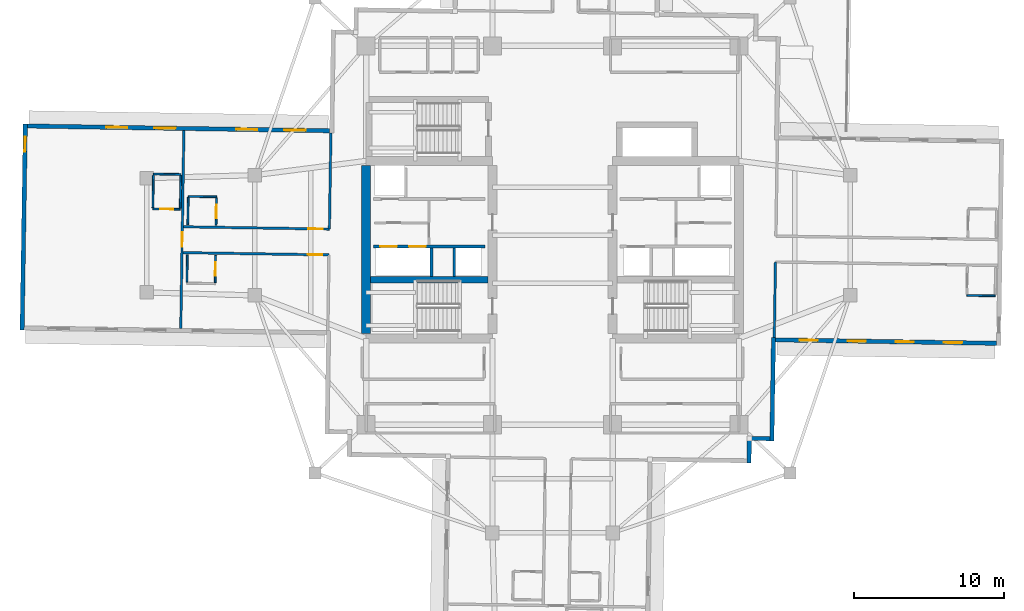
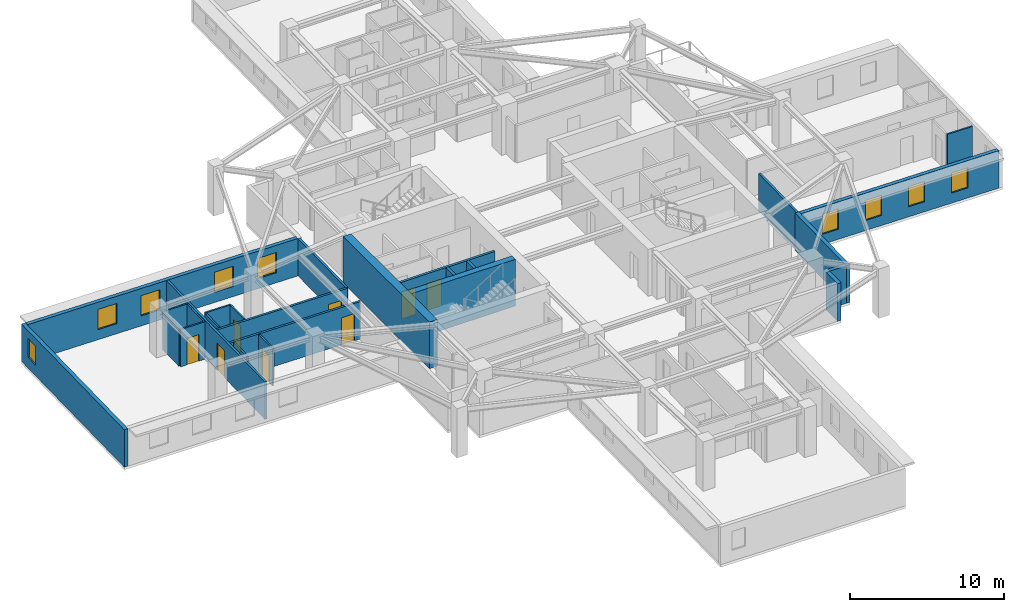
# One storey, part 4 of 13: 26 walls, 9 windows, 8 doors, 17 openings.
"""IFC4 building model written with IfcOpenShell, lengths in metres."""

from ifc_helpers import new_model, si_unit, direction, frame, frame_2d, origin, place, context, subcontext, project, spatial, rectangle, extrude, material, layer, layer_set, type_object, element, fill, save


model = new_model("IFC4")

# Units and contexts
model_context = context("Model", 3, precision=1e-05, world=origin(), true_north=direction((0.0, 1.0)))
body_context = subcontext(model_context, "Body", "Model", "MODEL_VIEW")
ifc_project = project(units=[si_unit("LENGTHUNIT", "METRE"), si_unit("AREAUNIT", "SQUARE_METRE"), si_unit("VOLUMEUNIT", "CUBIC_METRE"), si_unit("PLANEANGLEUNIT", "RADIAN"), si_unit("MASSUNIT", "GRAM", prefix="KILO")], contexts=[model_context])

# Site, building, storey
site_placement = place(None, origin())
site = spatial("IfcSite", under=ifc_project, at=site_placement, CompositionType="ELEMENT")
building_placement = place(site_placement, origin())
building = spatial("IfcBuilding", under=site, at=building_placement, Name="Qingluan Cross Belvedere", CompositionType="ELEMENT")
storey_placement = place(building_placement, frame((0.0, 0.0, 180.0)))
storey = spatial("IfcBuildingStorey", under=building, at=storey_placement, Name="L45", CompositionType="ELEMENT", Elevation=180.0)

# Walls
ifc_material_1 = material(Name="Concrete C50", Category="concrete")
ifc_layer_1 = layer(ifc_material_1, 0.449951171875, Name="CoreShearWall_450")
ifc_layer_set_1 = layer_set([ifc_layer_1], Name="Concrete C50")
wall_type_1 = type_object("IfcWallType", Name="CoreShearWall_450", PredefinedType="SHEAR", material=ifc_layer_set_1)
wall_1_placement = place(storey_placement, frame((-12.094970703125, -2.9599609375, 0.0), z_axis=(0.0, 0.0, 1.0), x_axis=(1.0, 0.0, 0.0)))
element("IfcWall", 1, at=wall_1_placement, inside=storey, type_object=wall_type_1, Name="Split core W shear wall L45-M", PredefinedType="SHEAR", context=body_context, shape_type="SweptSolid", body=[
    extrude(rectangle(XDim=7.7900390625, YDim=0.449951171875, at=frame_2d((3.89501953125, 0.0))), origin(), (0.0, 0.0, 1.0), 3.699951171875),
])
ifc_material_2 = material(Name="Concrete C60", Category="concrete")
ifc_layer_2 = layer(ifc_material_2, 0.60009765625, Name="CoreShearWall_600")
ifc_layer_set_2 = layer_set([ifc_layer_2], Name="Concrete C60")
wall_type_2 = type_object("IfcWallType", Name="CoreShearWall_600", PredefinedType="SHEAR", material=ifc_layer_set_2)
wall_2_placement = place(storey_placement, frame((-12.39990234375, -6.544921875, 0.0), z_axis=(0.0, 0.0, 1.0), x_axis=(0.0, 1.0, 0.0)))
element("IfcWall", 2, at=wall_2_placement, inside=storey, type_object=wall_type_2, Name="Split core W shear wall L45-W", PredefinedType="SHEAR", context=body_context, shape_type="SweptSolid", body=[
    extrude(rectangle(XDim=11.18994140625, YDim=0.60009765625, at=frame_2d((5.594970703125, 0.0))), origin(), (0.0, 0.0, 1.0), 3.699951171875),
])
ifc_material_3 = material(Name="Gypsum plasterboard on steel stud acoustic partition", Category="steel")
ifc_layer_3 = layer(ifc_material_3, 0.159912109375, Name="CorridorPartition_160")
ifc_layer_set_3 = layer_set([ifc_layer_3], Name="Gypsum plasterboard on steel stud acoustic partition")
wall_type_3 = type_object("IfcWallType", Name="CorridorPartition_160", PredefinedType="PARTITIONING", material=ifc_layer_set_3)
wall_3_placement = place(storey_placement, frame((14.823974609375, -1.773193359375, 0.0), z_axis=(0.0, 0.0, 1.0), x_axis=(-0.015720106939, -0.999876431484, 0.0)))
element("IfcWall", 3, at=wall_3_placement, inside=storey, type_object=wall_type_3, Name="Partition L45:E:s1", PredefinedType="PARTITIONING", context=body_context, shape_type="SweptSolid", body=[
    extrude(rectangle(XDim=5.031982421875, YDim=0.159912109375, at=frame_2d((2.51611328125, 0.0))), origin(), (0.0, 0.0, 1.0), 2.9599609375),
])

# Wall, opening, door
wall_4_placement = place(storey_placement, frame((-14.84521484375, 0.4130859375, 0.0), z_axis=(0.0, 0.0, 1.0), x_axis=(-0.999876269181, 0.015730426869, 0.0)))
wall_4 = element("IfcWall", 4, at=wall_4_placement, inside=storey, type_object=wall_type_3, Name="Partition L45:W:c0", PredefinedType="PARTITIONING", context=body_context, shape_type="SweptSolid", body=[
    extrude(rectangle(XDim=9.7001953125, YDim=0.159912109375, at=frame_2d((4.85009765625, 0.0))), origin(), (0.0, 0.0, 1.0), 2.9599609375),
])
opening_1_placement = place(wall_4_placement, frame((0.449951171875, 0.0, 0.0)))
opening_1 = element("IfcOpeningElement", 5, at=opening_1_placement, cuts=wall_4, Name="Opening GD-10", PredefinedType="OPENING", context=body_context, shape_type="SweptSolid", body=[
    extrude(rectangle(XDim=0.9599609375, YDim=2.14990234375, at=frame_2d((0.47998046875, 1.074951171875))), frame((0.0, 0.08984375, 0.0), z_axis=(0.0, -1.0, 0.0), x_axis=(1.0, 0.0, 0.0)), (0.0, 0.0, 1.0), 0.179931640625),
])
ifc_material_4 = material(Name="Timber oak fire-rated acoustic guestroom door", Category="wood")
door_type_1 = type_object("IfcDoorType", Name="GuestEntryDoor_FD60", OperationType="NOTDEFINED", PredefinedType="DOOR", material=ifc_material_4)
door_1_placement = place(opening_1_placement, origin())
door_1 = element("IfcDoor", 6, at=door_1_placement, inside=storey, type_object=door_type_1, Name="Guest entry fire door 4503", OperationType="SINGLE_SWING_RIGHT", OverallHeight=2.14990234375, OverallWidth=0.9599609375, PredefinedType="DOOR", context=body_context, shape_type="SweptSolid", body=[
    extrude(rectangle(XDim=0.9599609375, YDim=2.14990234375, at=frame_2d((0.47998046875, 1.074951171875))), frame((0.0, 0.02490234375, 0.0), z_axis=(0.0, -1.0, 0.0), x_axis=(1.0, 0.0, 0.0)), (0.0, 0.0, 1.0), 0.050048828125),
])
fill(opening_1, door_1)

# Wall
wall_5_placement = place(storey_placement, frame((-14.84521484375, 0.4130859375, 0.0), z_axis=(0.0, 0.0, 1.0), x_axis=(0.015697672111, 0.999876783954, 0.0)))
element("IfcWall", 7, at=wall_5_placement, inside=storey, type_object=wall_type_3, Name="Partition L45:W:s0", PredefinedType="PARTITIONING", context=body_context, shape_type="SweptSolid", body=[
    extrude(rectangle(XDim=6.39208984375, YDim=0.159912109375, at=frame_2d((3.196044921875, 0.0))), origin(), (0.0, 0.0, 1.0), 2.9599609375),
])

# Wall, opening, door
wall_6_placement = place(storey_placement, frame((-14.872314453125, -1.306640625, 0.0), z_axis=(0.0, 0.0, 1.0), x_axis=(-0.999876664729, 0.015705264399, 0.0)))
wall_6 = element("IfcWall", 8, at=wall_6_placement, inside=storey, type_object=wall_type_3, Name="Partition L45:W:c1", PredefinedType="PARTITIONING", context=body_context, shape_type="SweptSolid", body=[
    extrude(rectangle(XDim=9.7001953125, YDim=0.159912109375, at=frame_2d((4.85009765625, 0.0))), origin(), (0.0, 0.0, 1.0), 2.9599609375),
])
opening_2_placement = place(wall_6_placement, frame((0.449951171875, 0.0, 0.0)))
opening_2 = element("IfcOpeningElement", 9, at=opening_2_placement, cuts=wall_6, Name="Opening GD-10", PredefinedType="OPENING", context=body_context, shape_type="SweptSolid", body=[
    extrude(rectangle(XDim=0.9599609375, YDim=2.14990234375, at=frame_2d((0.47998046875, 1.074951171875))), frame((0.0, 0.08984375, 0.0), z_axis=(0.0, -1.0, 0.0), x_axis=(1.0, 0.0, 0.0)), (0.0, 0.0, 1.0), 0.179931640625),
])
door_2_placement = place(opening_2_placement, origin())
door_2 = element("IfcDoor", 10, at=door_2_placement, inside=storey, type_object=door_type_1, Name="Guest entry fire door 4504", OperationType="SINGLE_SWING_RIGHT", OverallHeight=2.14990234375, OverallWidth=0.9599609375, PredefinedType="DOOR", context=body_context, shape_type="SweptSolid", body=[
    extrude(rectangle(XDim=0.9599609375, YDim=2.14990234375, at=frame_2d((0.47998046875, 1.074951171875))), frame((0.0, 0.02490234375, 0.0), z_axis=(0.0, -1.0, 0.0), x_axis=(1.0, 0.0, 0.0)), (0.0, 0.0, 1.0), 0.050048828125),
])
fill(opening_2, door_2)

wall_7_placement = place(storey_placement, frame((-24.730224609375, -6.184326171875, 0.0), z_axis=(0.0, 0.0, 1.0), x_axis=(0.015713911007, 0.999876528878, 0.0)))
wall_7 = element("IfcWall", 11, at=wall_7_placement, inside=storey, type_object=wall_type_3, Name="Partition L45:Wcap:in", PredefinedType="PARTITIONING", context=body_context, shape_type="SweptSolid", body=[
    extrude(rectangle(XDim=13.14404296875, YDim=0.159912109375, at=frame_2d((6.572021484375, 0.0))), origin(), (0.0, 0.0, 1.0), 2.9599609375),
])
opening_3_placement = place(wall_7_placement, frame((5.412109375, 0.0, 0.0)))
opening_3 = element("IfcOpeningElement", 12, at=opening_3_placement, cuts=wall_7, Name="Opening GD-10", PredefinedType="OPENING", context=body_context, shape_type="SweptSolid", body=[
    extrude(rectangle(XDim=0.9599609375, YDim=2.14990234375, at=frame_2d((0.47998046875, 1.074951171875))), frame((0.0, 0.08984375, 0.0), z_axis=(0.0, -1.0, 0.0), x_axis=(1.0, 0.0, 0.0)), (0.0, 0.0, 1.0), 0.179931640625),
])
door_3_placement = place(opening_3_placement, origin())
door_3 = element("IfcDoor", 13, at=door_3_placement, inside=storey, type_object=door_type_1, Name="Presidential suite entrance door L45W", OperationType="SINGLE_SWING_LEFT", OverallHeight=2.14990234375, OverallWidth=0.9599609375, PredefinedType="DOOR", context=body_context, shape_type="SweptSolid", body=[
    extrude(rectangle(XDim=0.9599609375, YDim=2.14990234375, at=frame_2d((0.47998046875, 1.074951171875))), frame((0.0, 0.02490234375, 0.0), z_axis=(0.0, -1.0, 0.0), x_axis=(1.0, 0.0, 0.0)), (0.0, 0.0, 1.0), 0.050048828125),
])
fill(opening_3, door_3)

# Wall
ifc_material_5 = material(Name="Moisture-resistant gypsum board lining")
ifc_layer_4 = layer(ifc_material_5, 0.1201171875, Name="EnsuiteWetPartition_120")
ifc_layer_set_4 = layer_set([ifc_layer_4], Name="Moisture-resistant gypsum board lining")
wall_type_4 = type_object("IfcWallType", Name="EnsuiteWetPartition_120", PredefinedType="PARTITIONING", material=ifc_layer_set_4)
wall_8_placement = place(storey_placement, frame((27.560546875, -3.998291015625, 0.0), z_axis=(0.0, 0.0, 1.0), x_axis=(0.999876553475, -0.01571234584, 0.0)))
element("IfcWall", 14, at=wall_8_placement, inside=storey, type_object=wall_type_4, Name="Partition L45:E:bc1_0", PredefinedType="PARTITIONING", context=body_context, shape_type="SweptSolid", body=[
    extrude(rectangle(XDim=1.880126953125, YDim=0.1201171875, at=frame_2d((0.93994140625, 0.0))), origin(), (0.0, 0.0, 1.0), 2.9599609375),
])

# Wall, opening, door
wall_9_placement = place(storey_placement, frame((-22.382080078125, 0.671630859375, 0.0), z_axis=(0.0, 0.0, 1.0), x_axis=(0.015694337248, 0.999876836305, 0.0)))
wall_9 = element("IfcWall", 15, at=wall_9_placement, inside=storey, type_object=wall_type_4, Name="Partition L45:W:bs0_0", PredefinedType="PARTITIONING", context=body_context, shape_type="SweptSolid", body=[
    extrude(rectangle(XDim=1.820068359375, YDim=0.1201171875, at=frame_2d((0.91015625, 0.0))), origin(), (0.0, 0.0, 1.0), 2.9599609375),
])
opening_4_placement = place(wall_9_placement, frame((0.469970703125, 0.0, 0.0)))
opening_4 = element("IfcOpeningElement", 16, at=opening_4_placement, cuts=wall_9, Name="Opening BD-09", PredefinedType="OPENING", context=body_context, shape_type="SweptSolid", body=[
    extrude(rectangle(XDim=0.8798828125, YDim=2.10009765625, at=frame_2d((0.43994140625, 1.050048828125))), frame((0.0, 0.070068359375, 0.0), z_axis=(0.0, -1.0, 0.0), x_axis=(1.0, 0.0, 0.0)), (0.0, 0.0, 1.0), 0.14013671875),
])
ifc_material_6 = material(Name="Moisture-sealed timber en-suite door", Category="wood")
door_type_2 = type_object("IfcDoorType", Name="BathroomDoor_880", OperationType="NOTDEFINED", PredefinedType="DOOR", material=ifc_material_6)
door_4_placement = place(opening_4_placement, origin())
door_4 = element("IfcDoor", 17, at=door_4_placement, inside=storey, type_object=door_type_2, Name="Bathroom door 4503", OperationType="SINGLE_SWING_LEFT", OverallHeight=2.10009765625, OverallWidth=0.8798828125, PredefinedType="DOOR", context=body_context, shape_type="SweptSolid", body=[
    extrude(rectangle(XDim=0.8798828125, YDim=2.10009765625, at=frame_2d((0.43994140625, 1.050048828125))), frame((0.0, 0.02490234375, 0.0), z_axis=(0.0, -1.0, 0.0), x_axis=(1.0, 0.0, 0.0)), (0.0, 0.0, 1.0), 0.050048828125),
])
fill(opening_4, door_4)

# Walls
wall_10_placement = place(storey_placement, frame((-24.261962890625, 0.701171875, 0.0), z_axis=(0.0, 0.0, 1.0), x_axis=(0.015694337248, 0.999876836305, 0.0)))
element("IfcWall", 18, at=wall_10_placement, inside=storey, type_object=wall_type_4, Name="Partition L45:W:bw0_0", PredefinedType="PARTITIONING", context=body_context, shape_type="SweptSolid", body=[
    extrude(rectangle(XDim=1.820068359375, YDim=0.1201171875, at=frame_2d((0.91015625, 0.0))), origin(), (0.0, 0.0, 1.0), 2.9599609375),
])
wall_11_placement = place(storey_placement, frame((-22.3525390625, 2.556396484375, 0.0), z_axis=(0.0, 0.0, 1.0), x_axis=(-0.999876553475, 0.01571234584, 0.0)))
element("IfcWall", 19, at=wall_11_placement, inside=storey, type_object=wall_type_4, Name="Partition L45:W:bn0_0", PredefinedType="PARTITIONING", context=body_context, shape_type="SweptSolid", body=[
    extrude(rectangle(XDim=1.880126953125, YDim=0.1201171875, at=frame_2d((0.93994140625, 0.0))), origin(), (0.0, 0.0, 1.0), 2.9599609375),
])

# Wall, opening, door
wall_12_placement = place(storey_placement, frame((-22.442138671875, -3.14794921875, 0.0), z_axis=(0.0, 0.0, 1.0), x_axis=(0.015694337248, 0.999876836305, 0.0)))
wall_12 = element("IfcWall", 20, at=wall_12_placement, inside=storey, type_object=wall_type_4, Name="Partition L45:W:bs1_0", PredefinedType="PARTITIONING", context=body_context, shape_type="SweptSolid", body=[
    extrude(rectangle(XDim=1.820068359375, YDim=0.1201171875, at=frame_2d((0.91015625, 0.0))), origin(), (0.0, 0.0, 1.0), 2.9599609375),
])
opening_5_placement = place(wall_12_placement, frame((0.469970703125, 0.0, 0.0)))
opening_5 = element("IfcOpeningElement", 21, at=opening_5_placement, cuts=wall_12, Name="Opening BD-09", PredefinedType="OPENING", context=body_context, shape_type="SweptSolid", body=[
    extrude(rectangle(XDim=0.8798828125, YDim=2.10009765625, at=frame_2d((0.43994140625, 1.050048828125))), frame((0.0, 0.070068359375, 0.0), z_axis=(0.0, -1.0, 0.0), x_axis=(1.0, 0.0, 0.0)), (0.0, 0.0, 1.0), 0.14013671875),
])
door_5_placement = place(opening_5_placement, origin())
door_5 = element("IfcDoor", 22, at=door_5_placement, inside=storey, type_object=door_type_2, Name="Bathroom door 4504", OperationType="SINGLE_SWING_LEFT", OverallHeight=2.10009765625, OverallWidth=0.8798828125, PredefinedType="DOOR", context=body_context, shape_type="SweptSolid", body=[
    extrude(rectangle(XDim=0.8798828125, YDim=2.10009765625, at=frame_2d((0.43994140625, 1.050048828125))), frame((0.0, 0.02490234375, 0.0), z_axis=(0.0, -1.0, 0.0), x_axis=(1.0, 0.0, 0.0)), (0.0, 0.0, 1.0), 0.050048828125),
])
fill(opening_5, door_5)

# Walls
wall_13_placement = place(storey_placement, frame((-24.322021484375, -3.118408203125, 0.0), z_axis=(0.0, 0.0, 1.0), x_axis=(0.015694337248, 0.999876836305, 0.0)))
element("IfcWall", 23, at=wall_13_placement, inside=storey, type_object=wall_type_4, Name="Partition L45:W:bw1_0", PredefinedType="PARTITIONING", context=body_context, shape_type="SweptSolid", body=[
    extrude(rectangle(XDim=1.820068359375, YDim=0.1201171875, at=frame_2d((0.91015625, 0.0))), origin(), (0.0, 0.0, 1.0), 2.9599609375),
])
for number, where, z_axis, x_axis, name in (
    (24, (-24.764892578125, 1.79931640625, 0.0), (0.0, 0.0, 1.0), (0.015679076008, 0.999877075733, 0.0), "Partition L45:Wcap:ba"),
    (25, (-26.584716796875, 1.827880859375, 0.0), (0.0, 0.0, 1.0), (0.015791041581, 0.99987531373, 0.0), "Partition L45:Wcap:bb"),
):
    element("IfcWall", number, at=place(storey_placement, frame(where, z_axis=z_axis, x_axis=x_axis)), inside=storey, type_object=wall_type_4, Name=name, PredefinedType="PARTITIONING", context=body_context, shape_type="SweptSolid", body=[
        extrude(rectangle(XDim=2.179931640625, YDim=0.1201171875, at=frame_2d((1.08984375, 0.0))), origin(), (0.0, 0.0, 1.0), 2.9599609375),
    ])

# Wall, opening, door
wall_14_placement = place(storey_placement, frame((-24.765869140625, 1.729248046875, 0.0), z_axis=(0.0, 0.0, 1.0), x_axis=(-0.999876836305, 0.015694337248, 0.0)))
wall_14 = element("IfcWall", 26, at=wall_14_placement, inside=storey, type_object=wall_type_4, Name="Partition L45:Wcap:bs", PredefinedType="PARTITIONING", context=body_context, shape_type="SweptSolid", body=[
    extrude(rectangle(XDim=1.820068359375, YDim=0.1201171875, at=frame_2d((0.91015625, 0.0))), origin(), (0.0, 0.0, 1.0), 2.9599609375),
])
opening_6_placement = place(wall_14_placement, frame((0.449951171875, 0.0, 0.0)))
opening_6 = element("IfcOpeningElement", 27, at=opening_6_placement, cuts=wall_14, Name="Opening BD-09", PredefinedType="OPENING", context=body_context, shape_type="SweptSolid", body=[
    extrude(rectangle(XDim=0.8798828125, YDim=2.10009765625, at=frame_2d((0.43994140625, 1.050048828125))), frame((0.0, 0.070068359375, 0.0), z_axis=(0.0, -1.0, 0.0), x_axis=(1.0, 0.0, 0.0)), (0.0, 0.0, 1.0), 0.14013671875),
])
door_6_placement = place(opening_6_placement, origin())
door_6 = element("IfcDoor", 28, at=door_6_placement, inside=storey, type_object=door_type_2, Name="En-suite bathroom door L45W", OperationType="SINGLE_SWING_RIGHT", OverallHeight=2.10009765625, OverallWidth=0.8798828125, PredefinedType="DOOR", context=body_context, shape_type="SweptSolid", body=[
    extrude(rectangle(XDim=0.8798828125, YDim=2.10009765625, at=frame_2d((0.43994140625, 1.050048828125))), frame((0.0, 0.02490234375, 0.0), z_axis=(0.0, -1.0, 0.0), x_axis=(1.0, 0.0, 0.0)), (0.0, 0.0, 1.0), 0.050048828125),
])
fill(opening_6, door_6)

# Wall
wall_15_placement = place(storey_placement, frame((-24.7294921875, 4.048828125, 0.0), z_axis=(0.0, 0.0, 1.0), x_axis=(-0.999876836305, 0.015694337248, 0.0)))
element("IfcWall", 29, at=wall_15_placement, inside=storey, type_object=wall_type_4, Name="Partition L45:Wcap:bn", PredefinedType="PARTITIONING", context=body_context, shape_type="SweptSolid", body=[
    extrude(rectangle(XDim=1.820068359375, YDim=0.1201171875, at=frame_2d((0.91015625, 0.0))), origin(), (0.0, 0.0, 1.0), 2.9599609375),
])

# Wall, openings, windows
ifc_material_7 = material(Name="Precast concrete C45", Category="concrete")
ifc_layer_5 = layer(ifc_material_7, 0.280029296875, Name="PrecastFacadeWall_280")
ifc_layer_set_5 = layer_set([ifc_layer_5], Name="Precast concrete C45")
wall_type_5 = type_object("IfcWallType", Name="PrecastFacadeWall_280", PredefinedType="STANDARD", material=ifc_layer_set_5)
wall_16_placement = place(storey_placement, frame((14.83251953125, -6.953857421875, 0.0), z_axis=(0.0, 0.0, 1.0), x_axis=(0.999876569875, -0.015711302158, 0.0)))
wall_16 = element("IfcWall", 30, at=wall_16_placement, inside=storey, type_object=wall_type_5, Name="Facade wall L45-EA", PredefinedType="STANDARD", context=body_context, shape_type="SweptSolid", body=[
    extrude(rectangle(XDim=14.699951171875, YDim=0.280029296875, at=frame_2d((7.35009765625, 0.0))), origin(), (0.0, 0.0, 1.0), 2.969970703125),
])
opening_7_placement = place(wall_16_placement, frame((1.60009765625, 0.0, 0.800048828125)))
opening_7 = element("IfcOpeningElement", 31, at=opening_7_placement, cuts=wall_16, Name="Opening W-02", PredefinedType="OPENING", context=body_context, shape_type="SweptSolid", body=[
    extrude(rectangle(XDim=1.199951171875, YDim=1.60009765625, at=frame_2d((0.60009765625, 0.800048828125))), frame((0.0, 0.14990234375, 0.0), z_axis=(0.0, -1.0, 0.0), x_axis=(1.0, 0.0, 0.0)), (0.0, 0.0, 1.0), 0.300048828125),
])
opening_8_placement = place(wall_16_placement, frame((4.800048828125, 0.0, 0.800048828125)))
opening_8 = element("IfcOpeningElement", 32, at=opening_8_placement, cuts=wall_16, Name="Opening W-02", PredefinedType="OPENING", context=body_context, shape_type="SweptSolid", body=[
    extrude(rectangle(XDim=1.199951171875, YDim=1.60009765625, at=frame_2d((0.60009765625, 0.800048828125))), frame((0.0, 0.14990234375, 0.0), z_axis=(0.0, -1.0, 0.0), x_axis=(1.0, 0.0, 0.0)), (0.0, 0.0, 1.0), 0.300048828125),
])
opening_9_placement = place(wall_16_placement, frame((8.0, 0.0, 0.800048828125)))
opening_9 = element("IfcOpeningElement", 33, at=opening_9_placement, cuts=wall_16, Name="Opening W-02", PredefinedType="OPENING", context=body_context, shape_type="SweptSolid", body=[
    extrude(rectangle(XDim=1.199951171875, YDim=1.60009765625, at=frame_2d((0.60009765625, 0.800048828125))), frame((0.0, 0.14990234375, 0.0), z_axis=(0.0, -1.0, 0.0), x_axis=(1.0, 0.0, 0.0)), (0.0, 0.0, 1.0), 0.300048828125),
])
opening_10_placement = place(wall_16_placement, frame((11.199951171875, 0.0, 0.800048828125)))
opening_10 = element("IfcOpeningElement", 34, at=opening_10_placement, cuts=wall_16, Name="Opening W-02", PredefinedType="OPENING", context=body_context, shape_type="SweptSolid", body=[
    extrude(rectangle(XDim=1.199951171875, YDim=1.60009765625, at=frame_2d((0.60009765625, 0.800048828125))), frame((0.0, 0.14990234375, 0.0), z_axis=(0.0, -1.0, 0.0), x_axis=(1.0, 0.0, 0.0)), (0.0, 0.0, 1.0), 0.300048828125),
])
ifc_material_8 = material(Name="Thermally broken triple Low-E glass in aluminium frame", Category="aluminium")
window_type_1 = type_object("IfcWindowType", Name="TriRibbonWin_1200x1600", PartitioningType="SINGLE_PANEL", PredefinedType="WINDOW", material=ifc_material_8)
window_1_placement = place(opening_7_placement, origin())
window_1 = element("IfcWindow", 35, at=window_1_placement, inside=storey, type_object=window_type_1, Name="Ribbon window L45-EA-1", OverallHeight=1.60009765625, OverallWidth=1.199951171875, PartitioningType="SINGLE_PANEL", PredefinedType="WINDOW", context=body_context, shape_type="SweptSolid", body=[
    extrude(rectangle(XDim=1.199951171875, YDim=1.60009765625, at=frame_2d((0.60009765625, 0.800048828125))), frame((0.0, 0.030029296875, 0.0), z_axis=(0.0, -1.0, 0.0), x_axis=(1.0, 0.0, 0.0)), (0.0, 0.0, 1.0), 0.06005859375),
])
fill(opening_7, window_1)
window_2_placement = place(opening_8_placement, origin())
window_2 = element("IfcWindow", 36, at=window_2_placement, inside=storey, type_object=window_type_1, Name="Ribbon window L45-EA-2", OverallHeight=1.60009765625, OverallWidth=1.199951171875, PartitioningType="SINGLE_PANEL", PredefinedType="WINDOW", context=body_context, shape_type="SweptSolid", body=[
    extrude(rectangle(XDim=1.199951171875, YDim=1.60009765625, at=frame_2d((0.60009765625, 0.800048828125))), frame((0.0, 0.030029296875, 0.0), z_axis=(0.0, -1.0, 0.0), x_axis=(1.0, 0.0, 0.0)), (0.0, 0.0, 1.0), 0.06005859375),
])
fill(opening_8, window_2)
window_3_placement = place(opening_9_placement, origin())
window_3 = element("IfcWindow", 37, at=window_3_placement, inside=storey, type_object=window_type_1, Name="Ribbon window L45-EA-3", OverallHeight=1.60009765625, OverallWidth=1.199951171875, PartitioningType="SINGLE_PANEL", PredefinedType="WINDOW", context=body_context, shape_type="SweptSolid", body=[
    extrude(rectangle(XDim=1.199951171875, YDim=1.60009765625, at=frame_2d((0.60009765625, 0.800048828125))), frame((0.0, 0.030029296875, 0.0), z_axis=(0.0, -1.0, 0.0), x_axis=(1.0, 0.0, 0.0)), (0.0, 0.0, 1.0), 0.06005859375),
])
fill(opening_9, window_3)
window_4_placement = place(opening_10_placement, origin())
window_4 = element("IfcWindow", 38, at=window_4_placement, inside=storey, type_object=window_type_1, Name="Ribbon window L45-EA-4", OverallHeight=1.60009765625, OverallWidth=1.199951171875, PartitioningType="SINGLE_PANEL", PredefinedType="WINDOW", context=body_context, shape_type="SweptSolid", body=[
    extrude(rectangle(XDim=1.199951171875, YDim=1.60009765625, at=frame_2d((0.60009765625, 0.800048828125))), frame((0.0, 0.030029296875, 0.0), z_axis=(0.0, -1.0, 0.0), x_axis=(1.0, 0.0, 0.0)), (0.0, 0.0, 1.0), 0.06005859375),
])
fill(opening_10, window_4)

wall_17_placement = place(storey_placement, frame((-14.83251953125, 6.953857421875, 0.0), z_axis=(0.0, 0.0, 1.0), x_axis=(-0.999876667941, 0.015705059908, 0.0)))
wall_17 = element("IfcWall", 39, at=wall_17_placement, inside=storey, type_object=wall_type_5, Name="Facade wall L45-WA", PredefinedType="STANDARD", context=body_context, shape_type="SweptSolid", body=[
    extrude(rectangle(XDim=20.10009765625, YDim=0.280029296875, at=frame_2d((10.050048828125, 0.0))), origin(), (0.0, 0.0, 1.0), 2.969970703125),
])
opening_11_placement = place(wall_17_placement, frame((1.60009765625, 0.0, 0.800048828125)))
opening_11 = element("IfcOpeningElement", 40, at=opening_11_placement, cuts=wall_17, Name="Opening W-01", PredefinedType="OPENING", context=body_context, shape_type="SweptSolid", body=[
    extrude(rectangle(XDim=1.39990234375, YDim=1.60009765625, at=frame_2d((0.699951171875, 0.800048828125))), frame((0.0, 0.14990234375, 0.0), z_axis=(0.0, -1.0, 0.0), x_axis=(1.0, 0.0, 0.0)), (0.0, 0.0, 1.0), 0.300048828125),
])
opening_12_placement = place(wall_17_placement, frame((4.800048828125, 0.0, 0.800048828125)))
opening_12 = element("IfcOpeningElement", 41, at=opening_12_placement, cuts=wall_17, Name="Opening W-01", PredefinedType="OPENING", context=body_context, shape_type="SweptSolid", body=[
    extrude(rectangle(XDim=1.39990234375, YDim=1.60009765625, at=frame_2d((0.699951171875, 0.800048828125))), frame((0.0, 0.14990234375, 0.0), z_axis=(0.0, -1.0, 0.0), x_axis=(1.0, 0.0, 0.0)), (0.0, 0.0, 1.0), 0.300048828125),
])
opening_13_placement = place(wall_17_placement, frame((10.25, 0.0, 0.800048828125)))
opening_13 = element("IfcOpeningElement", 42, at=opening_13_placement, cuts=wall_17, Name="Opening W-01", PredefinedType="OPENING", context=body_context, shape_type="SweptSolid", body=[
    extrude(rectangle(XDim=1.39990234375, YDim=1.60009765625, at=frame_2d((0.699951171875, 0.800048828125))), frame((0.0, 0.14990234375, 0.0), z_axis=(0.0, -1.0, 0.0), x_axis=(1.0, 0.0, 0.0)), (0.0, 0.0, 1.0), 0.300048828125),
])
opening_14_placement = place(wall_17_placement, frame((13.449951171875, 0.0, 0.800048828125)))
opening_14 = element("IfcOpeningElement", 43, at=opening_14_placement, cuts=wall_17, Name="Opening W-01", PredefinedType="OPENING", context=body_context, shape_type="SweptSolid", body=[
    extrude(rectangle(XDim=1.39990234375, YDim=1.60009765625, at=frame_2d((0.699951171875, 0.800048828125))), frame((0.0, 0.14990234375, 0.0), z_axis=(0.0, -1.0, 0.0), x_axis=(1.0, 0.0, 0.0)), (0.0, 0.0, 1.0), 0.300048828125),
])
ifc_material_9 = material(Name="Thermally broken triple Low-E glass in aluminium frame", Category="aluminium")
window_type_2 = type_object("IfcWindowType", Name="TriRibbonWin_1400x1600", PartitioningType="SINGLE_PANEL", PredefinedType="WINDOW", material=ifc_material_9)
window_5_placement = place(opening_11_placement, origin())
window_5 = element("IfcWindow", 44, at=window_5_placement, inside=storey, type_object=window_type_2, Name="Ribbon window L45-WA-1", OverallHeight=1.60009765625, OverallWidth=1.39990234375, PartitioningType="SINGLE_PANEL", PredefinedType="WINDOW", context=body_context, shape_type="SweptSolid", body=[
    extrude(rectangle(XDim=1.39990234375, YDim=1.60009765625, at=frame_2d((0.699951171875, 0.800048828125))), frame((0.0, 0.030029296875, 0.0), z_axis=(0.0, -1.0, 0.0), x_axis=(1.0, 0.0, 0.0)), (0.0, 0.0, 1.0), 0.06005859375),
])
fill(opening_11, window_5)
window_6_placement = place(opening_12_placement, origin())
window_6 = element("IfcWindow", 45, at=window_6_placement, inside=storey, type_object=window_type_2, Name="Ribbon window L45-WA-2", OverallHeight=1.60009765625, OverallWidth=1.39990234375, PartitioningType="SINGLE_PANEL", PredefinedType="WINDOW", context=body_context, shape_type="SweptSolid", body=[
    extrude(rectangle(XDim=1.39990234375, YDim=1.60009765625, at=frame_2d((0.699951171875, 0.800048828125))), frame((0.0, 0.030029296875, 0.0), z_axis=(0.0, -1.0, 0.0), x_axis=(1.0, 0.0, 0.0)), (0.0, 0.0, 1.0), 0.06005859375),
])
fill(opening_12, window_6)
window_7_placement = place(opening_13_placement, origin())
window_7 = element("IfcWindow", 46, at=window_7_placement, inside=storey, type_object=window_type_2, Name="Ribbon window L45-WA-3", OverallHeight=1.60009765625, OverallWidth=1.39990234375, PartitioningType="SINGLE_PANEL", PredefinedType="WINDOW", context=body_context, shape_type="SweptSolid", body=[
    extrude(rectangle(XDim=1.39990234375, YDim=1.60009765625, at=frame_2d((0.699951171875, 0.800048828125))), frame((0.0, 0.030029296875, 0.0), z_axis=(0.0, -1.0, 0.0), x_axis=(1.0, 0.0, 0.0)), (0.0, 0.0, 1.0), 0.06005859375),
])
fill(opening_13, window_7)
window_8_placement = place(opening_14_placement, origin())
window_8 = element("IfcWindow", 47, at=window_8_placement, inside=storey, type_object=window_type_2, Name="Ribbon window L45-WA-4", OverallHeight=1.60009765625, OverallWidth=1.39990234375, PartitioningType="SINGLE_PANEL", PredefinedType="WINDOW", context=body_context, shape_type="SweptSolid", body=[
    extrude(rectangle(XDim=1.39990234375, YDim=1.60009765625, at=frame_2d((0.699951171875, 0.800048828125))), frame((0.0, 0.030029296875, 0.0), z_axis=(0.0, -1.0, 0.0), x_axis=(1.0, 0.0, 0.0)), (0.0, 0.0, 1.0), 0.06005859375),
])
fill(opening_14, window_8)

# Wall, opening, window
wall_18_placement = place(storey_placement, frame((-35.06787109375, 7.41162109375, 0.0), z_axis=(0.0, 0.0, 1.0), x_axis=(-0.015712599986, -0.999876549481, 0.0)))
wall_18 = element("IfcWall", 48, at=wall_18_placement, inside=storey, type_object=wall_type_5, Name="Arm tip precast facade wall L45-W", PredefinedType="STANDARD", context=body_context, shape_type="SweptSolid", body=[
    extrude(rectangle(XDim=13.719970703125, YDim=0.280029296875, at=frame_2d((6.85986328125, 0.0))), origin(), (0.0, 0.0, 1.0), 2.969970703125),
])
opening_15_placement = place(wall_18_placement, frame((0.85009765625, 0.0, 0.85009765625)))
opening_15 = element("IfcOpeningElement", 49, at=opening_15_placement, cuts=wall_18, Name="Opening W-03", PredefinedType="OPENING", context=body_context, shape_type="SweptSolid", body=[
    extrude(rectangle(XDim=1.0, YDim=1.5, at=frame_2d((0.5, 0.75))), frame((0.0, 0.14990234375, 0.0), z_axis=(0.0, -1.0, 0.0), x_axis=(1.0, 0.0, 0.0)), (0.0, 0.0, 1.0), 0.300048828125),
])
ifc_material_10 = material(Name="Thermally broken triple Low-E glass in aluminium frame", Category="aluminium")
window_type_3 = type_object("IfcWindowType", Name="TriApexWin_1000x1500", PartitioningType="SINGLE_PANEL", PredefinedType="WINDOW", material=ifc_material_10)
window_9_placement = place(opening_15_placement, origin())
window_9 = element("IfcWindow", 50, at=window_9_placement, inside=storey, type_object=window_type_3, Name="Arm tip triangular window L45-W", OverallHeight=1.5, OverallWidth=1.0, PartitioningType="SINGLE_PANEL", PredefinedType="WINDOW", context=body_context, shape_type="SweptSolid", body=[
    extrude(rectangle(XDim=1.0, YDim=1.5, at=frame_2d((0.5, 0.75))), frame((0.0, 0.030029296875, 0.0), z_axis=(0.0, -1.0, 0.0), x_axis=(1.0, 0.0, 0.0)), (0.0, 0.0, 1.0), 0.06005859375),
])
fill(opening_15, window_9)

# Walls
wall_19_placement = place(storey_placement, frame((14.69482421875, -6.811767578125, 0.0), z_axis=(0.0, 0.0, 1.0), x_axis=(-0.015694809807, -0.999876828887, 0.0)))
element("IfcWall", 51, at=wall_19_placement, inside=storey, type_object=wall_type_5, Name="Corner wall L45-SE1", PredefinedType="STANDARD", context=body_context, shape_type="SweptSolid", body=[
    extrude(rectangle(XDim=6.85986328125, YDim=0.280029296875, at=frame_2d((3.429931640625, 0.0))), origin(), (0.0, 0.0, 1.0), 2.969970703125),
])
wall_20_placement = place(storey_placement, frame((14.44921875, -13.528564453125, 0.0), z_axis=(0.0, 0.0, 1.0), x_axis=(-0.999878147354, 0.015610587569, 0.0)))
element("IfcWall", 52, at=wall_20_placement, inside=storey, type_object=wall_type_5, Name="Corner wall L45-SE2", PredefinedType="STANDARD", context=body_context, shape_type="SweptSolid", body=[
    extrude(rectangle(XDim=1.219970703125, YDim=0.280029296875, at=frame_2d((0.60986328125, 0.0))), origin(), (0.0, 0.0, 1.0), 2.969970703125),
])
wall_21_placement = place(storey_placement, frame((13.08740234375, -13.647216796875, 0.0), z_axis=(0.0, 0.0, 1.0), x_axis=(-0.015785793208, -0.999875396603, 0.0)))
element("IfcWall", 53, at=wall_21_placement, inside=storey, type_object=wall_type_5, Name="Corner wall L45-SE3", PredefinedType="STANDARD", context=body_context, shape_type="SweptSolid", body=[
    extrude(rectangle(XDim=1.500244140625, YDim=0.280029296875, at=frame_2d((0.75, 0.0))), origin(), (0.0, 0.0, 1.0), 2.969970703125),
])

# Wall, openings, doors
ifc_material_11 = material(Name="Concrete C40", Category="concrete")
ifc_layer_6 = layer(ifc_material_11, 0.219970703125, Name="ShaftEnclosureWall_250")
ifc_layer_set_6 = layer_set([ifc_layer_6], Name="Concrete C40")
wall_type_6 = type_object("IfcWallType", Name="ShaftEnclosureWall_250", PredefinedType="SOLIDWALL", material=ifc_layer_set_6)
wall_22_placement = place(storey_placement, frame((-11.89990234375, -0.75, 0.0), z_axis=(0.0, 0.0, 1.0), x_axis=(1.0, 0.0, 0.0)))
wall_22 = element("IfcWall", 54, at=wall_22_placement, inside=storey, type_object=wall_type_6, Name="Core-W mid hoistway wall L45", PredefinedType="SOLIDWALL", context=body_context, shape_type="SweptSolid", body=[
    extrude(rectangle(XDim=7.419921875, YDim=0.179931640625, at=frame_2d((3.7099609375, 0.0))), origin(), (0.0, 0.0, 1.0), 2.9599609375),
])
opening_16_placement = place(wall_22_placement, frame((0.449951171875, 0.0, 0.0)))
opening_16 = element("IfcOpeningElement", 55, at=opening_16_placement, cuts=wall_22, Name="Opening LD-11", PredefinedType="OPENING", context=body_context, shape_type="SweptSolid", body=[
    extrude(rectangle(XDim=1.10009765625, YDim=2.14990234375, at=frame_2d((0.550048828125, 1.074951171875))), frame((0.0, 0.099853515625, 0.0), z_axis=(0.0, -1.0, 0.0), x_axis=(1.0, 0.0, 0.0)), (0.0, 0.0, 1.0), 0.199951171875),
])
opening_17_placement = place(wall_22_placement, frame((2.35009765625, 0.0, 0.0)))
opening_17 = element("IfcOpeningElement", 56, at=opening_17_placement, cuts=wall_22, Name="Opening LD-11", PredefinedType="OPENING", context=body_context, shape_type="SweptSolid", body=[
    extrude(rectangle(XDim=1.10009765625, YDim=2.14990234375, at=frame_2d((0.550048828125, 1.074951171875))), frame((0.0, 0.099853515625, 0.0), z_axis=(0.0, -1.0, 0.0), x_axis=(1.0, 0.0, 0.0)), (0.0, 0.0, 1.0), 0.199951171875),
])
ifc_material_12 = material(Name="Brushed stainless steel centre-opening lift landing door", Category="steel")
door_type_3 = type_object("IfcDoorType", Name="LiftLandingSlidingDoor_1100", OperationType="DOUBLE_DOOR_SLIDING", PredefinedType="DOOR", material=ifc_material_12)
door_7_placement = place(opening_16_placement, origin())
door_7 = element("IfcDoor", 57, at=door_7_placement, inside=storey, type_object=door_type_3, Name="Lift landing sliding door LP5 L45", OperationType="DOUBLE_DOOR_SLIDING", OverallHeight=2.14990234375, OverallWidth=1.10009765625, PredefinedType="DOOR", context=body_context, shape_type="SweptSolid", body=[
    extrude(rectangle(XDim=1.10009765625, YDim=2.14990234375, at=frame_2d((0.550048828125, 1.074951171875))), frame((0.0, 0.02490234375, 0.0), z_axis=(0.0, -1.0, 0.0), x_axis=(1.0, 0.0, 0.0)), (0.0, 0.0, 1.0), 0.050048828125),
])
fill(opening_16, door_7)
door_8_placement = place(opening_17_placement, origin())
door_8 = element("IfcDoor", 58, at=door_8_placement, inside=storey, type_object=door_type_3, Name="Lift landing sliding door LP6 L45", OperationType="DOUBLE_DOOR_SLIDING", OverallHeight=2.14990234375, OverallWidth=1.10009765625, PredefinedType="DOOR", context=body_context, shape_type="SweptSolid", body=[
    extrude(rectangle(XDim=1.10009765625, YDim=2.14990234375, at=frame_2d((0.550048828125, 1.074951171875))), frame((0.0, 0.02490234375, 0.0), z_axis=(0.0, -1.0, 0.0), x_axis=(1.0, 0.0, 0.0)), (0.0, 0.0, 1.0), 0.050048828125),
])
fill(opening_17, door_8)

# Walls
for number, where, z_axis, x_axis, name in (
    (59, (-8.06005859375, -2.72998046875, 0.0), (0.0, 0.0, 1.0), (0.0, 1.0, 0.0), "Hoistway enclosure divider LP6E L45"),
    (60, (-6.5400390625, -2.72998046875, 0.0), (0.0, 0.0, 1.0), (0.0, 1.0, 0.0), "Hoistway enclosure divider LP8W L45"),
):
    element("IfcWall", number, at=place(storey_placement, frame(where, z_axis=z_axis, x_axis=x_axis)), inside=storey, type_object=wall_type_6, Name=name, PredefinedType="SOLIDWALL", context=body_context, shape_type="SweptSolid", body=[
        extrude(rectangle(XDim=1.889892578125, YDim=0.179931640625, at=frame_2d((0.94482421875, 0.0))), origin(), (0.0, 0.0, 1.0), 2.9599609375),
    ])

save(model, "model.ifc")
